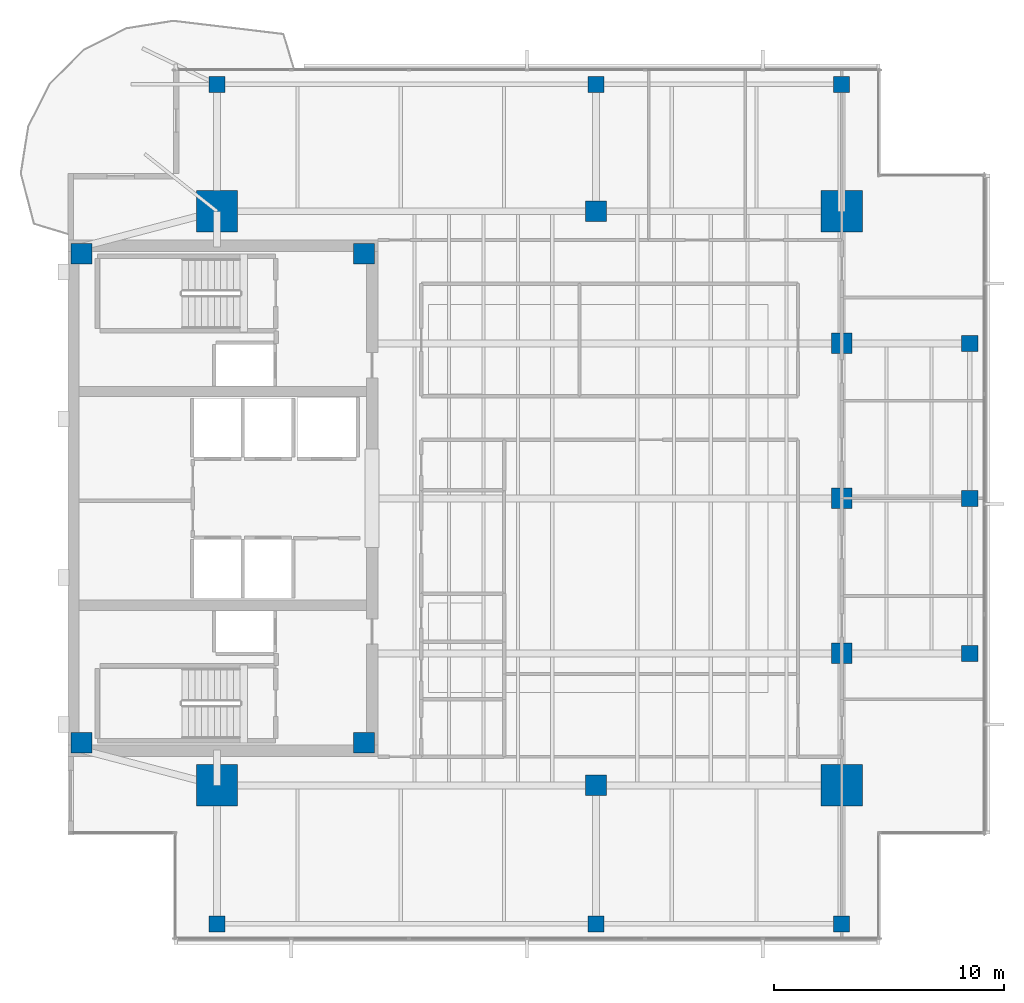
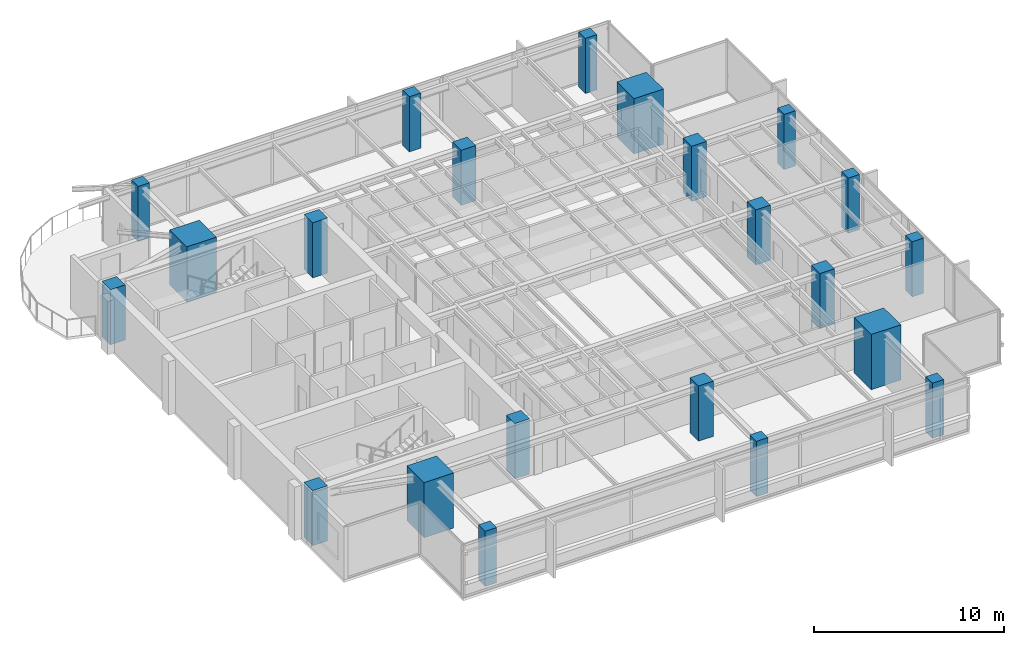
# One storey, part 1 of 14: 22 columns.
"""IFC4 building model written with IfcOpenShell, lengths in metres."""

from ifc_helpers import new_model, si_unit, direction, frame, origin, origin_2d, place, context, subcontext, project, spatial, rectangle, extrude, material, material_profile, profile_set, type_object, element, save


model = new_model("IFC4")

# Units and contexts
model_context = context("Model", 3, precision=1e-05, world=origin(), true_north=direction((0.0, 1.0)))
body_context = subcontext(model_context, "Body", "Model", "MODEL_VIEW")
ifc_project = project(units=[si_unit("LENGTHUNIT", "METRE"), si_unit("AREAUNIT", "SQUARE_METRE"), si_unit("VOLUMEUNIT", "CUBIC_METRE"), si_unit("PLANEANGLEUNIT", "RADIAN"), si_unit("MASSUNIT", "GRAM", prefix="KILO")], contexts=[model_context])

# Site, building, storey
site_placement = place(None, origin())
site = spatial("IfcSite", under=ifc_project, at=site_placement, CompositionType="ELEMENT")
building_placement = place(site_placement, origin())
building = spatial("IfcBuilding", under=site, at=building_placement, Name="Kinhvarn Gate Tower", CompositionType="ELEMENT")
storey_placement = place(building_placement, frame((0.0, 0.0, 281.199951171875)))
storey = spatial("IfcBuildingStorey", under=building, at=storey_placement, Name="L75", CompositionType="ELEMENT", Elevation=281.199951171875)

# Columns
ifc_material_1 = material(Name="Concrete C60/75", Category="concrete")
ifc_material_profile_1 = material_profile(ifc_material_1, rectangle(XDim=1.800048828125, YDim=1.800048828125, at=origin_2d()), Name="RC 1800x1800")
ifc_profile_set_1 = profile_set([ifc_material_profile_1], Name="Concrete C60/75")
column_type_1 = type_object("IfcColumnType", Name="COL-MC-1800", PredefinedType="COLUMN", material=ifc_profile_set_1)
for number, where, z_axis, x_axis, name in (
    (1, (11.0, 12.75, 0.0), (0.0, 0.0, 1.0), (1.0, 0.0, 0.0), "Column MC1-L75 (MC-18)"),
    (2, (11.0, 37.75, 0.0), (0.0, 0.0, 1.0), (1.0, 0.0, 0.0), "Column MC4-L75 (MC-18)"),
    (3, (38.199951171875, 12.75, 0.0), (0.0, 0.0, 1.0), (1.0, 0.0, 0.0), "Column MC2-L75 (MC-18)"),
    (4, (38.199951171875, 37.75, 0.0), (0.0, 0.0, 1.0), (1.0, 0.0, 0.0), "Column MC3-L75 (MC-18)"),
):
    element("IfcColumn", number, at=place(storey_placement, frame(where, z_axis=z_axis, x_axis=x_axis)), inside=storey, type_object=column_type_1, Name=name, PredefinedType="COLUMN", context=body_context, shape_type="SweptSolid", body=[
        extrude(rectangle(XDim=1.800048828125, YDim=1.800048828125, at=origin_2d()), origin(), (0.0, 0.0, 1.0), 3.550048828125),
    ])
ifc_material_2 = material(Name="Concrete C50/60", Category="concrete")
ifc_material_profile_2 = material_profile(ifc_material_2, rectangle(XDim=0.699951171875, YDim=0.699951171875, at=origin_2d()), Name="RC 700x700")
ifc_profile_set_2 = profile_set([ifc_material_profile_2], Name="Concrete C50/60")
column_type_2 = type_object("IfcColumnType", Name="COL-RC-700", PredefinedType="COLUMN", material=ifc_profile_set_2)
for number, where, z_axis, x_axis, name in (
    (5, (43.780029296875, 18.5, 0.0), (0.0, 0.0, 1.0), (1.0, 0.0, 0.0), "Column CE-1-L75 (C-070)"),
    (6, (43.780029296875, 25.25, 0.0), (0.0, 0.0, 1.0), (1.0, 0.0, 0.0), "Column CE-2-L75 (C-070)"),
    (7, (43.780029296875, 32.0, 0.0), (0.0, 0.0, 1.0), (1.0, 0.0, 0.0), "Column CE-3-L75 (C-070)"),
    (8, (11.0, 6.719970703125, 0.0), (0.0, 0.0, 1.0), (1.0, 0.0, 0.0), "Column CS-0-L75 (C-070)"),
    (9, (27.5, 6.719970703125, 0.0), (0.0, 0.0, 1.0), (1.0, 0.0, 0.0), "Column CS-1-L75 (C-070)"),
    (10, (38.199951171875, 6.719970703125, 0.0), (0.0, 0.0, 1.0), (1.0, 0.0, 0.0), "Column CS-2-L75 (C-070)"),
    (11, (11.0, 43.280029296875, 0.0), (0.0, 0.0, 1.0), (1.0, 0.0, 0.0), "Column CN-0-L75 (C-070)"),
    (12, (27.5, 43.280029296875, 0.0), (0.0, 0.0, 1.0), (1.0, 0.0, 0.0), "Column CN-1-L75 (C-070)"),
    (13, (38.199951171875, 43.280029296875, 0.0), (0.0, 0.0, 1.0), (1.0, 0.0, 0.0), "Column CN-2-L75 (C-070)"),
):
    element("IfcColumn", number, at=place(storey_placement, frame(where, z_axis=z_axis, x_axis=x_axis)), inside=storey, type_object=column_type_2, Name=name, PredefinedType="COLUMN", context=body_context, shape_type="SweptSolid", body=[
        extrude(rectangle(XDim=0.699951171875, YDim=0.699951171875, at=origin_2d()), origin(), (0.0, 0.0, 1.0), 3.550048828125),
    ])
ifc_material_profile_3 = material_profile(ifc_material_1, rectangle(XDim=0.89990234375, YDim=0.89990234375, at=origin_2d()), Name="RC 900x900")
ifc_profile_set_3 = profile_set([ifc_material_profile_3], Name="Concrete C60/75")
column_type_3 = type_object("IfcColumnType", Name="COL-RC-900", PredefinedType="COLUMN", material=ifc_profile_set_3)
for number, where, z_axis, x_axis, name in (
    (14, (27.5, 12.75, 0.0), (0.0, 0.0, 1.0), (1.0, 0.0, 0.0), "Column SP27-S-L75 (C-090)"),
    (15, (27.5, 37.75, 0.0), (0.0, 0.0, 1.0), (1.0, 0.0, 0.0), "Column SP27-N-L75 (C-090)"),
    (16, (38.199951171875, 18.5, 0.0), (0.0, 0.0, 1.0), (1.0, 0.0, 0.0), "Column SP38-E1-L75 (C-090)"),
    (17, (38.199951171875, 25.25, 0.0), (0.0, 0.0, 1.0), (1.0, 0.0, 0.0), "Column SP38-E2-L75 (C-090)"),
    (18, (38.199951171875, 32.0, 0.0), (0.0, 0.0, 1.0), (1.0, 0.0, 0.0), "Column SP38-E3-L75 (C-090)"),
):
    element("IfcColumn", number, at=place(storey_placement, frame(where, z_axis=z_axis, x_axis=x_axis)), inside=storey, type_object=column_type_3, Name=name, PredefinedType="COLUMN", context=body_context, shape_type="SweptSolid", body=[
        extrude(rectangle(XDim=0.89990234375, YDim=0.89990234375, at=origin_2d()), origin(), (0.0, 0.0, 1.0), 3.550048828125),
    ])
ifc_material_profile_4 = material_profile(ifc_material_2, rectangle(XDim=0.89990234375, YDim=0.89990234375, at=origin_2d()), Name="RC 900x900")
ifc_profile_set_4 = profile_set([ifc_material_profile_4], Name="Concrete C50/60")
column_type_4 = type_object("IfcColumnType", Name="PIL-RC-900", PredefinedType="PILASTER", material=ifc_profile_set_4)
for number, where, z_axis, x_axis, name in (
    (19, (5.10009765625, 14.60009765625, 0.0), (0.0, 0.0, 1.0), (1.0, 0.0, 0.0), "Column CC-SW-L75 (CP-090)"),
    (20, (5.10009765625, 35.89990234375, 0.0), (0.0, 0.0, 1.0), (1.0, 0.0, 0.0), "Column CC-NW-L75 (CP-090)"),
    (21, (17.39990234375, 14.60009765625, 0.0), (0.0, 0.0, 1.0), (1.0, 0.0, 0.0), "Column CC-SE-L75 (CP-090)"),
    (22, (17.39990234375, 35.89990234375, 0.0), (0.0, 0.0, 1.0), (1.0, 0.0, 0.0), "Column CC-NE-L75 (CP-090)"),
):
    element("IfcColumn", number, at=place(storey_placement, frame(where, z_axis=z_axis, x_axis=x_axis)), inside=storey, type_object=column_type_4, Name=name, PredefinedType="PILASTER", context=body_context, shape_type="SweptSolid", body=[
        extrude(rectangle(XDim=0.89990234375, YDim=0.89990234375, at=origin_2d()), origin(), (0.0, 0.0, 1.0), 3.550048828125),
    ])

save(model, "model.ifc")
